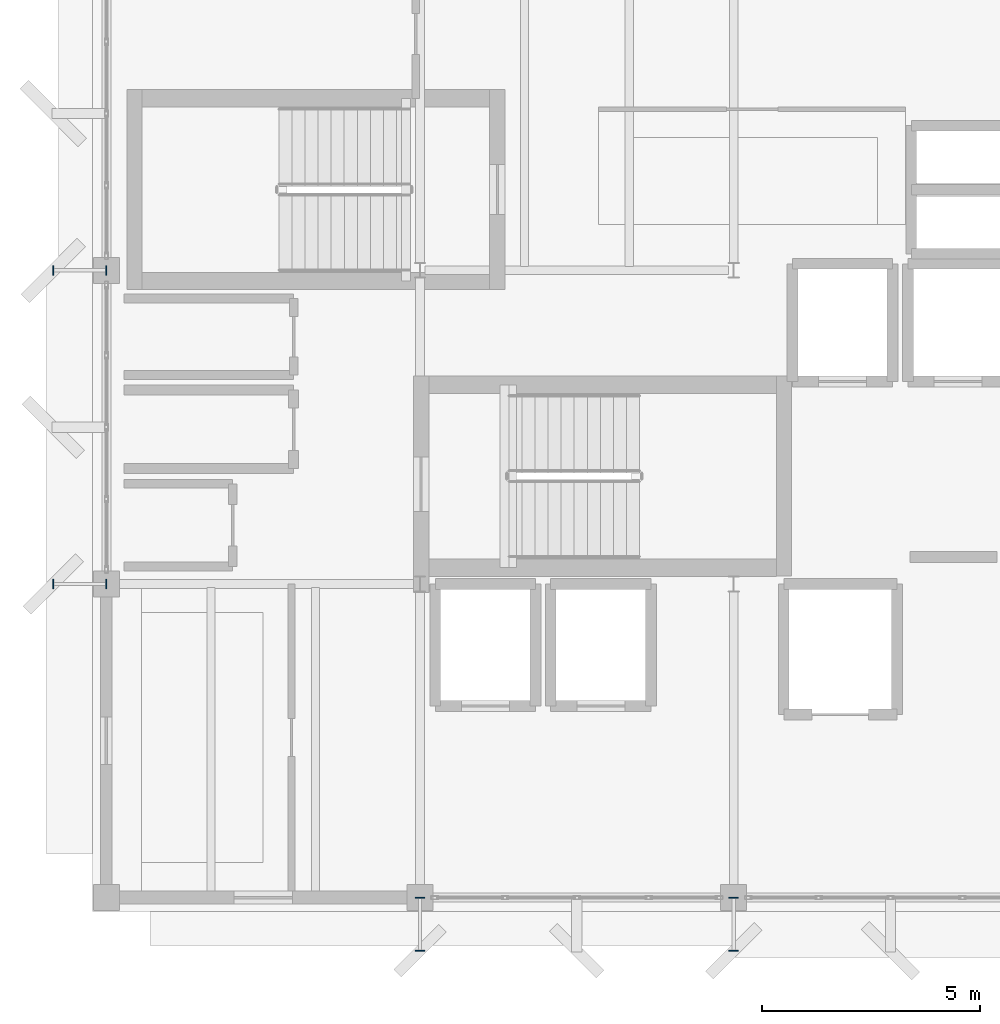
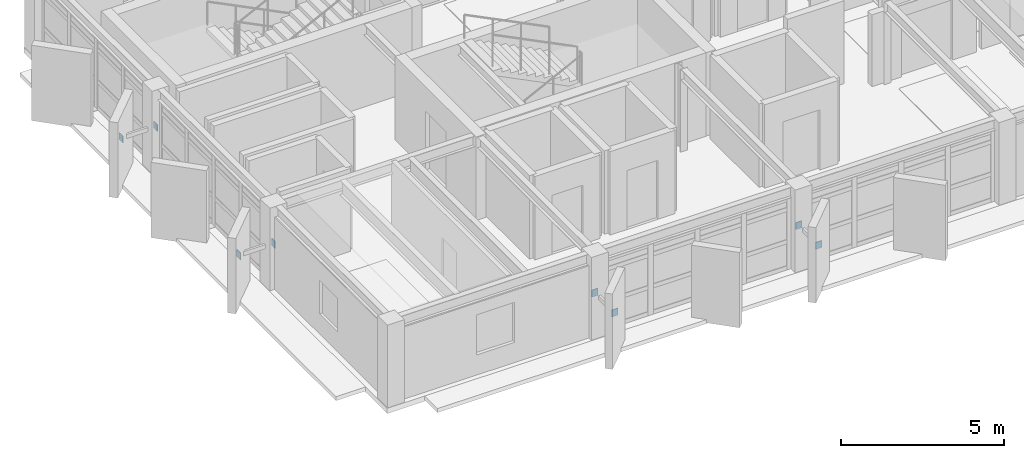
# One storey, part 13 of 15: 8 discrete accessories.
"""IFC4 building model written with IfcOpenShell, lengths in metres."""

from ifc_helpers import new_model, si_unit, direction, frame, origin, origin_2d, place, context, subcontext, project, spatial, rectangle, extrude, material, type_object, element, save


model = new_model("IFC4")

# Units and contexts
model_context = context("Model", 3, precision=1e-05, world=origin(), true_north=direction((0.0, 1.0)))
body_context = subcontext(model_context, "Body", "Model", "MODEL_VIEW")
ifc_project = project(units=[si_unit("LENGTHUNIT", "METRE"), si_unit("AREAUNIT", "SQUARE_METRE"), si_unit("VOLUMEUNIT", "CUBIC_METRE"), si_unit("PLANEANGLEUNIT", "RADIAN"), si_unit("MASSUNIT", "GRAM", prefix="KILO")], contexts=[model_context])

# Site, building, storey
site_placement = place(None, origin())
site = spatial("IfcSite", under=ifc_project, at=site_placement, CompositionType="ELEMENT")
building_placement = place(site_placement, origin())
building = spatial("IfcBuilding", under=site, at=building_placement, Name="Kandorven Conservatory and Botanical Research Centre", CompositionType="ELEMENT")
storey_placement = place(building_placement, frame((0.0, 0.0, 56.10009765625)))
storey = spatial("IfcBuildingStorey", under=building, at=storey_placement, Name="L14", CompositionType="ELEMENT", Elevation=56.10009765625)

# Discrete accessories
ifc_material = material(Name="Steel S355 (IS 2062 E350)", Category="steel")
discrete_accessory_type = type_object("IfcDiscreteAccessoryType", Name="SteelGussetPlate", PredefinedType="BRACKET", material=ifc_material)
for number, where, z_axis, x_axis, name in (
    (1, (13.199951171875, 6.0, 1.3701171875), (0.0, 0.0, 1.0), (1.0, 0.0, 0.0), "Welded steel strut end-plate GUS-01 #121A"),
    (2, (13.199951171875, 4.780029296875, 1.3701171875), (0.0, 0.0, 1.0), (1.0, 0.0, 0.0), "Welded steel strut end-plate GUS-01 #121B"),
    (3, (20.39990234375, 6.0, 1.3701171875), (0.0, 0.0, 1.0), (1.0, 0.0, 0.0), "Welded steel strut end-plate GUS-01 #123A"),
    (4, (20.39990234375, 4.780029296875, 1.3701171875), (0.0, 0.0, 1.0), (1.0, 0.0, 0.0), "Welded steel strut end-plate GUS-01 #123B"),
):
    element("IfcDiscreteAccessory", number, at=place(storey_placement, frame(where, z_axis=z_axis, x_axis=x_axis)), inside=storey, type_object=discrete_accessory_type, Name=name, PredefinedType="BRACKET", context=body_context, shape_type="SweptSolid", body=[
        extrude(rectangle(XDim=0.219970703125, YDim=0.02392578125, at=origin_2d()), origin(), (0.0, 0.0, 1.0), 0.260009765625),
    ])
for number, where, z_axis, x_axis, name in (
    (5, (6.0, 13.199951171875, 1.3701171875), (0.0, 0.0, 1.0), (1.0, 0.0, 0.0), "Welded steel strut end-plate GUS-01 #125A"),
    (6, (4.780029296875, 13.199951171875, 1.3701171875), (0.0, 0.0, 1.0), (1.0, 0.0, 0.0), "Welded steel strut end-plate GUS-01 #125B"),
    (7, (6.0, 20.39990234375, 1.3701171875), (0.0, 0.0, 1.0), (1.0, 0.0, 0.0), "Welded steel strut end-plate GUS-01 #127A"),
    (8, (4.780029296875, 20.39990234375, 1.3701171875), (0.0, 0.0, 1.0), (1.0, 0.0, 0.0), "Welded steel strut end-plate GUS-01 #127B"),
):
    element("IfcDiscreteAccessory", number, at=place(storey_placement, frame(where, z_axis=z_axis, x_axis=x_axis)), inside=storey, type_object=discrete_accessory_type, Name=name, PredefinedType="BRACKET", context=body_context, shape_type="SweptSolid", body=[
        extrude(rectangle(XDim=0.02392578125, YDim=0.219970703125, at=origin_2d()), origin(), (0.0, 0.0, 1.0), 0.260009765625),
    ])

save(model, "model.ifc")
